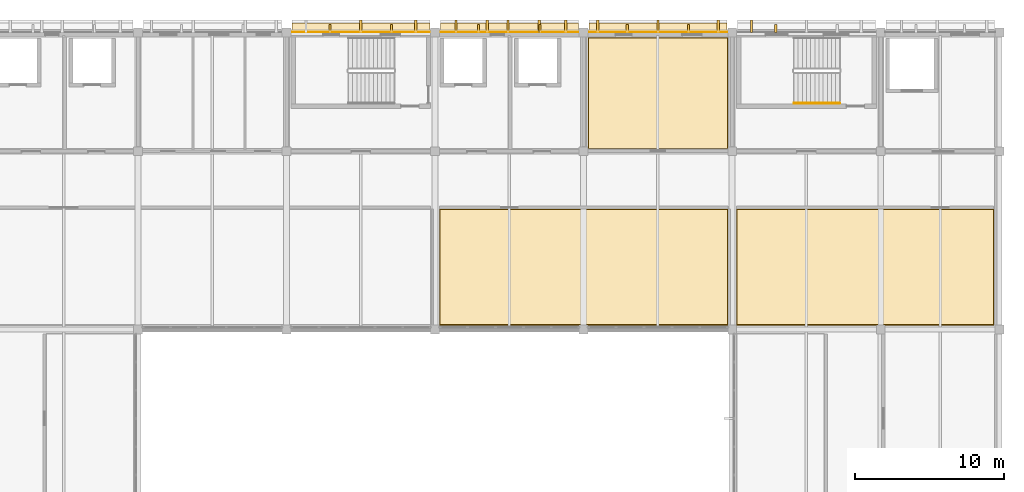
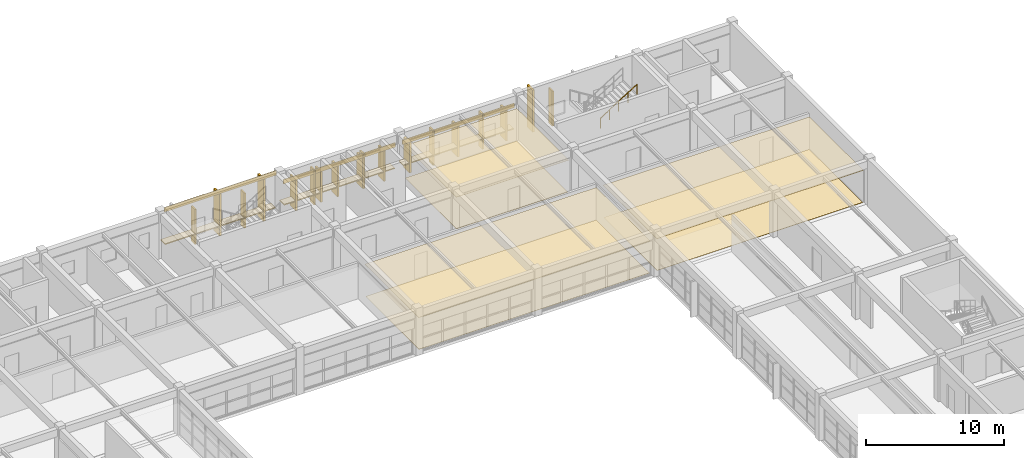
# One storey, part 27 of 28: 23 coverings, 7 shading devices, 1 railing.
"""IFC4 building model written with IfcOpenShell, lengths in metres."""

import ifcopenshell
import ifcopenshell.guid

model = None  # the IFC model being written
_history = None  # IfcOwnerHistory: only IFC2X3 demands one
_inside = {}  # id of a spatial element -> (the spatial element, [elements in it])
_under = {}  # id of a project, library or spatial element -> (it, [spatial elements below it])
_declared = {}  # id of a project -> (the project, [libraries it declares])
_typed = {}  # id of a type object -> (the type object, [elements of that type])
_made_of = {}  # id of a material, layer set ... -> (it, [elements and type objects made of it])


def new_model(schema):
    """Start an empty IFC model of exactly this schema.

    Asked for "IFC4X3", IfcOpenShell would pick the latest addendum, in which some entities
    have other attributes; the version numbers below select the first issue.
    IFC2X3 requires an IfcOwnerHistory on every rooted entity: one is made here for all.
    """
    global model, _history
    if schema == "IFC4X3":
        model = ifcopenshell.file(schema_version=(4, 3, 0, 0))
    else:
        model = ifcopenshell.file(schema=schema)
    _inside.clear()
    _under.clear()
    _declared.clear()
    _typed.clear()
    _made_of.clear()
    _history = None
    if model.schema == "IFC2X3":
        org = make("IfcOrganization", Name="unknown")
        user = make(
            "IfcPersonAndOrganization",
            ThePerson=make("IfcPerson", FamilyName="unknown"),
            TheOrganization=org,
        )
        app = make(
            "IfcApplication",
            ApplicationDeveloper=org,
            Version="unknown",
            ApplicationFullName="unknown",
            ApplicationIdentifier="unknown",
        )
        _history = make(
            "IfcOwnerHistory",
            OwningUser=user,
            OwningApplication=app,
            ChangeAction="ADDED",
            CreationDate=0,
        )
    return model


def make(cls, **values):
    """One entity of the class cls with the attributes given. An attribute that is None is left unset."""
    return model.create_entity(
        cls, **{name: value for name, value in values.items() if value is not None}
    )


def rooted(cls, **values):
    """An entity with a GlobalId (a new one), such as an element, a storey or a relation."""
    return make(cls, GlobalId=ifcopenshell.guid.new(), OwnerHistory=_history, **values)


def si_unit(unit_type, name, prefix=None):
    """IfcSIUnit, for example si_unit("LENGTHUNIT", "METRE", prefix="MILLI")."""
    return make("IfcSIUnit", UnitType=unit_type, Prefix=prefix, Name=name)


def assignment(units):
    """IfcUnitAssignment: the units of a project."""
    return None if units is None else make("IfcUnitAssignment", Units=units)


def point(xyz):
    """IfcCartesianPoint."""
    return None if xyz is None else make("IfcCartesianPoint", Coordinates=xyz)


def direction(xyz):
    """IfcDirection."""
    return None if xyz is None else make("IfcDirection", DirectionRatios=xyz)


def frame(location, z_axis=None, x_axis=None):
    """IfcAxis2Placement3D, a coordinate frame: its origin and axes. An axis left out is left unset."""
    return make(
        "IfcAxis2Placement3D",
        Location=point(location),
        Axis=direction(z_axis),
        RefDirection=direction(x_axis),
    )


def frame_2d(location, x_axis=None):
    """IfcAxis2Placement2D, a coordinate frame in the plane: its origin and x axis."""
    return make(
        "IfcAxis2Placement2D", Location=point(location), RefDirection=direction(x_axis)
    )


def origin():
    """The frame at (0, 0, 0) with its axes left unset."""
    return frame((0.0, 0.0, 0.0))


def origin_2d():
    """The frame at (0, 0) in the plane with its x axis left unset."""
    return frame_2d((0.0, 0.0))


def place(relative_to, where):
    """IfcLocalPlacement: puts the frame where relative to a parent placement (None: the world)."""
    return make(
        "IfcLocalPlacement", PlacementRelTo=relative_to, RelativePlacement=where
    )


def context(
    kind, dimensions, precision=None, world=None, true_north=None, identifier=None
):
    """IfcGeometricRepresentationContext, for example the 3D "Model" context."""
    return make(
        "IfcGeometricRepresentationContext",
        ContextIdentifier=identifier,
        ContextType=kind,
        CoordinateSpaceDimension=dimensions,
        Precision=precision,
        WorldCoordinateSystem=world,
        TrueNorth=true_north,
    )


def subcontext(parent, identifier, kind, view, scale=None):
    """IfcGeometricRepresentationSubContext, for example "Body" below "Model"."""
    return make(
        "IfcGeometricRepresentationSubContext",
        ContextIdentifier=identifier,
        ContextType=kind,
        ParentContext=parent,
        TargetScale=scale,
        TargetView=view,
    )


def project(units=None, contexts=None):
    """IfcProject with its units and contexts."""
    return rooted(
        "IfcProject",
        Name="project",
        RepresentationContexts=contexts,
        UnitsInContext=assignment(units),
    )


def spatial(cls, under=None, at=None, **own):
    """A site, building, storey or space (cls), placed at a placement, below another one or the project."""
    s = rooted(cls, ObjectPlacement=at, **own)
    if under is not None:
        _under.setdefault(under.id(), (under, []))[1].append(s)
    return s


def polyline(points):
    """IfcPolyline through the points."""
    return make("IfcPolyline", Points=[point(p) for p in points])


def profile(cls, at=None, kind="AREA", **sizes):
    """A parametric profile (cls). Its sizes go by their IFC names, for example OverallWidth=200.0."""
    return make(cls, ProfileType=kind, Position=at, **sizes)


def rectangle(**sizes):
    """IfcRectangleProfileDef."""
    return profile("IfcRectangleProfileDef", **sizes)


def circle(**sizes):
    """IfcCircleProfileDef."""
    return profile("IfcCircleProfileDef", **sizes)


def outline(outer, holes=None, kind="AREA"):
    """IfcArbitraryClosedProfileDef: a profile drawn as a closed curve; with holes, ...WithVoids."""
    if holes is None:
        return make("IfcArbitraryClosedProfileDef", ProfileType=kind, OuterCurve=outer)
    return make(
        "IfcArbitraryProfileDefWithVoids",
        ProfileType=kind,
        OuterCurve=outer,
        InnerCurves=holes,
    )


def extrude(swept, where, along, depth):
    """IfcExtrudedAreaSolid: the profile swept, set in the frame where, extruded along a direction by depth."""
    return make(
        "IfcExtrudedAreaSolid",
        SweptArea=swept,
        Position=where,
        ExtrudedDirection=direction(along),
        Depth=depth,
    )


def shape(context_of_items, identifier, shape_type, items):
    """IfcShapeRepresentation: the items that make up one representation, for example the "Body"."""
    return make(
        "IfcShapeRepresentation",
        ContextOfItems=context_of_items,
        RepresentationIdentifier=identifier,
        RepresentationType=shape_type,
        Items=items,
    )


def material(Name=None, Category=None):
    """IfcMaterial."""
    return make("IfcMaterial", Name=Name, Category=Category)


def layer(
    of_material, thickness, ventilated=None, Name=None, Category=None, Priority=None
):
    """IfcMaterialLayer: one layer of a wall or slab, of a material (None: an air gap)."""
    return make(
        "IfcMaterialLayer",
        Material=of_material,
        LayerThickness=thickness,
        IsVentilated=ventilated,
        Name=Name,
        Category=Category,
        Priority=Priority,
    )


def layer_set(layers, Name=None):
    """IfcMaterialLayerSet."""
    return make("IfcMaterialLayerSet", MaterialLayers=layers, LayerSetName=Name)


def made_of(thing, what):
    """Note that an element or type object is made of a material, layer set ...; save() writes the relation."""
    if what is not None:
        _made_of.setdefault(what.id(), (what, []))[1].append(thing)
    return thing


def type_object(cls, material=None, **own):
    """A type object (cls), such as IfcWallType, which elements share."""
    return made_of(rooted(cls, **own), material)


def element(
    cls,
    number,
    at=None,
    inside=None,
    cuts=None,
    type_object=None,
    material=None,
    context=None,
    identifier="Body",
    shape_type=None,
    held_by="IfcProductDefinitionShape",
    body=None,
    shapes=None,
    **own,
):
    """One element of the class cls, such as IfcWall. Its Tag is "e" and its number.

    at: its placement. inside: the storey or other place that contains it. cuts: it is an
    opening in that element (IfcRelVoidsElement). A single representation is given by context,
    identifier, shape_type and body (its items); several are given by shapes. held_by: the class
    of the entity that holds the representations. save() writes the other relations.
    """
    e = rooted(cls, Tag="e%d" % number, ObjectPlacement=at, **own)
    if body is not None:
        shapes = [shape(context, identifier, shape_type, body)]
    if shapes is not None:
        e.Representation = make(held_by, Representations=shapes)
    if inside is not None:
        _inside.setdefault(inside.id(), (inside, []))[1].append(e)
    if cuts is not None:
        rooted(
            "IfcRelVoidsElement", RelatingBuildingElement=cuts, RelatedOpeningElement=e
        )
    if type_object is not None:
        _typed.setdefault(type_object.id(), (type_object, []))[1].append(e)
    return made_of(e, material)


def aggregate(whole, parts):
    """IfcRelAggregates: a whole, such as a stair, and the parts it consists of."""
    return rooted("IfcRelAggregates", RelatingObject=whole, RelatedObjects=parts)


def save(model, path):
    """Write the relations noted so far, then the file.

    IfcRelAggregates (storeys below a building ...), IfcRelContainedInSpatialStructure (elements
    in a storey), IfcRelDefinesByType, IfcRelAssociatesMaterial and IfcRelDeclares: one each for
    every whole, place, type object, material and project.
    """
    for whole, parts in _under.values():
        aggregate(whole, parts)
    for where, things in _inside.values():
        rooted(
            "IfcRelContainedInSpatialStructure",
            RelatedElements=things,
            RelatingStructure=where,
        )
    for kind, things in _typed.values():
        rooted("IfcRelDefinesByType", RelatedObjects=things, RelatingType=kind)
    for what, things in _made_of.values():
        rooted("IfcRelAssociatesMaterial", RelatedObjects=things, RelatingMaterial=what)
    for by, libraries in _declared.values():
        rooted("IfcRelDeclares", RelatingContext=by, RelatedDefinitions=libraries)
    model.write(path)


model = new_model("IFC4")

# Units and contexts
model_context = context("Model", 3, precision=1e-05, world=origin(), true_north=direction((0.0, 1.0)))
body_context = subcontext(model_context, "Body", "Model", "MODEL_VIEW")
ifc_project = project(units=[si_unit("LENGTHUNIT", "METRE"), si_unit("AREAUNIT", "SQUARE_METRE"), si_unit("VOLUMEUNIT", "CUBIC_METRE"), si_unit("PLANEANGLEUNIT", "RADIAN"), si_unit("MASSUNIT", "GRAM", prefix="KILO")], contexts=[model_context])

# Site, building, storey
site_placement = place(None, origin())
site = spatial("IfcSite", under=ifc_project, at=site_placement, CompositionType="ELEMENT")
building_placement = place(site_placement, origin())
building = spatial("IfcBuilding", under=site, at=building_placement, Name="Kivolera Central Railway Station", CompositionType="ELEMENT")
storey_placement = place(building_placement, frame((0.0, 0.0, 18.60009765625)))
storey = spatial("IfcBuildingStorey", under=building, at=storey_placement, Name="L04", CompositionType="ELEMENT", Elevation=18.60009765625)

# Shading devices
ifc_material_1 = material(Name="Precast concrete C40/50", Category="concrete")
shading_device_type = type_object("IfcShadingDeviceType", Name="BS-FIN-UPP", PredefinedType="USERDEFINED", material=ifc_material_1)
for number, where, z_axis, x_axis, name in (
    (1, (150.929931640625, 134.26708984375, -0.000244140625), (0.0, 0.0, 1.0), (1.0, 0.0, 0.0), "L04 North Brise-Soleil Fin 4.1"),
    (2, (155.070068359375, 134.26708984375, -0.000244140625), (0.0, 0.0, 1.0), (1.0, 0.0, 0.0), "L04 North Brise-Soleil Fin 4.2"),
    (3, (160.929931640625, 134.26708984375, -0.000244140625), (0.0, 0.0, 1.0), (1.0, 0.0, 0.0), "L04 North Brise-Soleil Fin 5.1"),
    (4, (165.070068359375, 134.26708984375, -0.000244140625), (0.0, 0.0, 1.0), (1.0, 0.0, 0.0), "L04 North Brise-Soleil Fin 5.2"),
    (5, (170.929931640625, 134.26708984375, -0.000244140625), (0.0, 0.0, 1.0), (1.0, 0.0, 0.0), "L04 North Brise-Soleil Fin 6.1"),
    (6, (175.070068359375, 134.26708984375, -0.000244140625), (0.0, 0.0, 1.0), (1.0, 0.0, 0.0), "L04 North Brise-Soleil Fin 6.2"),
    (7, (180.929931640625, 134.26708984375, -0.000244140625), (0.0, 0.0, 1.0), (1.0, 0.0, 0.0), "L04 North Brise-Soleil Fin 7.1"),
):
    element("IfcShadingDevice", number, at=place(storey_placement, frame(where, z_axis=z_axis, x_axis=x_axis)), inside=storey, type_object=shading_device_type, Name=name, ObjectType="FIN", PredefinedType="USERDEFINED", context=body_context, shape_type="SweptSolid", body=[
        extrude(rectangle(XDim=0.139892578125, YDim=0.550048828125, at=origin_2d()), origin(), (0.0, 0.0, 1.0), 3.10009765625),
    ])

# Coverings
ifc_material_2 = material(Name="Hardwood mvule timber", Category="wood")
ifc_layer_1 = layer(ifc_material_2, 0.02490234375, Name="Hardwood mvule timber")
ifc_layer_set_1 = layer_set([ifc_layer_1], Name="Hardwood mvule timber")
covering_type_1 = type_object("IfcCoveringType", Name="COV-CEIL-25", PredefinedType="CEILING", material=ifc_layer_set_1)
covering_1_placement = place(storey_placement, frame((0.0, 0.0, 2.849853515625)))
element("IfcCovering", 8, at=covering_1_placement, inside=storey, type_object=covering_type_1, Name="L04 Traction Power SCADA Control Office Acoustic Ceiling", PredefinedType="CEILING", context=body_context, shape_type="SweptSolid", body=[
    extrude(outline(polyline([(158.280029296875, 114.280029296875), (177.719970703125, 114.280029296875), (177.719970703125, 122.1201171875), (158.280029296875, 122.1201171875), (158.280029296875, 114.280029296875)])), origin(), (0.0, 0.0, 1.0), 0.025146484375),
])
ifc_material_3 = material(Name="Mineral fibre acoustic tile")
ifc_layer_2 = layer(ifc_material_3, 0.030029296875, Name="Mineral fibre acoustic tile")
ifc_layer_set_2 = layer_set([ifc_layer_2], Name="Mineral fibre acoustic tile")
covering_type_2 = type_object("IfcCoveringType", Name="COV-CEIL-30", PredefinedType="CEILING", material=ifc_layer_set_2)
covering_2_placement = place(storey_placement, frame((0.0, 0.0, 2.849853515625)))
element("IfcCovering", 9, at=covering_2_placement, inside=storey, type_object=covering_type_2, Name="L04 Emergency Incident Command Office Acoustic Ceiling", PredefinedType="CEILING", context=body_context, shape_type="SweptSolid", body=[
    extrude(outline(polyline([(168.280029296875, 126.1298828125), (177.719970703125, 126.1298828125), (177.719970703125, 133.669921875), (168.280029296875, 133.669921875), (168.280029296875, 126.1298828125)])), origin(), (0.0, 0.0, 1.0), 0.030029296875),
])
covering_3_placement = place(storey_placement, frame((0.0, 0.0, 2.849853515625)))
element("IfcCovering", 10, at=covering_3_placement, inside=storey, type_object=covering_type_2, Name="L04 Rolling Stock Fleet Dispatch Office Acoustic Ceiling", PredefinedType="CEILING", context=body_context, shape_type="SweptSolid", body=[
    extrude(outline(polyline([(178.280029296875, 114.280029296875), (195.6201171875, 114.280029296875), (195.6201171875, 122.1201171875), (178.280029296875, 122.1201171875), (178.280029296875, 114.280029296875)])), origin(), (0.0, 0.0, 1.0), 0.030029296875),
])
ifc_layer_3 = layer(ifc_material_1, 0.090087890625, Name="Precast concrete C40/50")
ifc_layer_set_3 = layer_set([ifc_layer_3], Name="Precast concrete C40/50")
covering_type_3 = type_object("IfcCoveringType", Name="COV-CLAUSTRA-90", PredefinedType="CLADDING", material=ifc_layer_set_3)
for number, where, z_axis, x_axis, name in (
    (11, (153.0, 134.31298828125, 0.85498046875), (0.0, 0.0, 1.0), (1.0, 0.0, 0.0), "L04 North Precast Egg-Crate Sill Shelf 4"),
    (12, (163.0, 134.31298828125, 0.85498046875), (0.0, 0.0, 1.0), (1.0, 0.0, 0.0), "L04 North Precast Egg-Crate Sill Shelf 5"),
    (13, (173.0, 134.31298828125, 0.85498046875), (0.0, 0.0, 1.0), (1.0, 0.0, 0.0), "L04 North Precast Egg-Crate Sill Shelf 6"),
):
    element("IfcCovering", number, at=place(storey_placement, frame(where, z_axis=z_axis, x_axis=x_axis)), inside=storey, type_object=covering_type_3, Name=name, PredefinedType="CLADDING", context=body_context, shape_type="SweptSolid", body=[
        extrude(rectangle(XDim=9.2900390625, YDim=0.64990234375, at=origin_2d()), origin(), (0.0, 0.0, 1.0), 0.090087890625),
    ])
ifc_material_4 = material(Name="Swahili coral limestone", Category="masonry")
ifc_layer_4 = layer(ifc_material_4, 0.159912109375, Name="Swahili coral limestone")
ifc_layer_set_4 = layer_set([ifc_layer_4], Name="Swahili coral limestone")
covering_type_4 = type_object("IfcCoveringType", Name="COV-EGGFIN-160", PredefinedType="CLADDING", material=ifc_layer_set_4)
for number, where, z_axis, x_axis, name in (
    (14, (153.0, 134.4130859375, 0.0400390625), (0.0, 0.0, 1.0), (1.0, 0.0, 0.0), "L04 North Afro-Modernist Coral-Stone Sun-Fin 4.2"),
    (15, (156.699951171875, 134.4130859375, 0.0400390625), (0.0, 0.0, 1.0), (1.0, 0.0, 0.0), "L04 North Afro-Modernist Coral-Stone Sun-Fin 4.3"),
):
    element("IfcCovering", number, at=place(storey_placement, frame(where, z_axis=z_axis, x_axis=x_axis)), inside=storey, type_object=covering_type_4, Name=name, PredefinedType="CLADDING", context=body_context, shape_type="SweptSolid", body=[
        extrude(rectangle(XDim=0.159912109375, YDim=0.85009765625, at=origin_2d()), origin(), (0.0, 0.0, 1.0), 3.719970703125),
    ])
for number, where, z_axis, x_axis, name in (
    (16, (159.39990234375, 134.4130859375, 0.039794921875), (0.0, 0.0, 1.0), (1.0, 0.0, 0.0), "L04 North Afro-Modernist Coral-Stone Sun-Fin 5.1"),
    (17, (161.5, 134.4130859375, 0.039794921875), (0.0, 0.0, 1.0), (1.0, 0.0, 0.0), "L04 North Afro-Modernist Coral-Stone Sun-Fin 5.2"),
    (18, (162.89990234375, 134.4130859375, 0.039794921875), (0.0, 0.0, 1.0), (1.0, 0.0, 0.0), "L04 North Afro-Modernist Coral-Stone Sun-Fin 5.3"),
    (19, (165.0, 134.4130859375, 0.039794921875), (0.0, 0.0, 1.0), (1.0, 0.0, 0.0), "L04 North Afro-Modernist Coral-Stone Sun-Fin 5.4"),
    (20, (166.800048828125, 134.4130859375, 0.039794921875), (0.0, 0.0, 1.0), (1.0, 0.0, 0.0), "L04 North Afro-Modernist Coral-Stone Sun-Fin 5.5"),
    (21, (168.949951171875, 134.4130859375, 0.039794921875), (0.0, 0.0, 1.0), (1.0, 0.0, 0.0), "L04 North Afro-Modernist Coral-Stone Sun-Fin 6.1"),
    (22, (173.0, 134.4130859375, 0.039794921875), (0.0, 0.0, 1.0), (1.0, 0.0, 0.0), "L04 North Afro-Modernist Coral-Stone Sun-Fin 6.2"),
    (23, (177.050048828125, 134.4130859375, 0.039794921875), (0.0, 0.0, 1.0), (1.0, 0.0, 0.0), "L04 North Afro-Modernist Coral-Stone Sun-Fin 6.3"),
):
    element("IfcCovering", number, at=place(storey_placement, frame(where, z_axis=z_axis, x_axis=x_axis)), inside=storey, type_object=covering_type_4, Name=name, PredefinedType="CLADDING", context=body_context, shape_type="SweptSolid", body=[
        extrude(rectangle(XDim=0.159912109375, YDim=0.85009765625, at=origin_2d()), origin(), (0.0, 0.0, 1.0), 2.7080078125),
    ])
covering_4_placement = place(storey_placement, frame((179.300048828125, 134.4130859375, 0.0400390625), z_axis=(0.0, 0.0, 1.0), x_axis=(1.0, 0.0, 0.0)))
element("IfcCovering", 24, at=covering_4_placement, inside=storey, type_object=covering_type_4, Name="L04 North Afro-Modernist Coral-Stone Sun-Fin 7.1", PredefinedType="CLADDING", context=body_context, shape_type="SweptSolid", body=[
    extrude(rectangle(XDim=0.159912109375, YDim=0.85009765625, at=origin_2d()), origin(), (0.0, 0.0, 1.0), 3.719970703125),
])
ifc_material_5 = material(Name="Terracotta clay tile", Category="masonry")
ifc_layer_5 = layer(ifc_material_5, 0.02197265625, Name="Terracotta clay tile")
ifc_layer_set_5 = layer_set([ifc_layer_5], Name="Terracotta clay tile")
covering_type_5 = type_object("IfcCoveringType", Name="COV-FLR-22", PredefinedType="FLOORING", material=ifc_layer_set_5)
covering_5_placement = place(storey_placement, origin())
element("IfcCovering", 25, at=covering_5_placement, inside=storey, type_object=covering_type_5, Name="L04 Emergency Incident Command Office Floor Finish", PredefinedType="FLOORING", context=body_context, shape_type="SweptSolid", body=[
    extrude(outline(polyline([(168.320068359375, 126.169921875), (177.679931640625, 126.169921875), (177.679931640625, 133.6298828125), (168.320068359375, 133.6298828125), (168.320068359375, 126.169921875)])), origin(), (0.0, 0.0, 1.0), 0.02197265625),
])
covering_6_placement = place(storey_placement, origin())
element("IfcCovering", 26, at=covering_6_placement, inside=storey, type_object=covering_type_5, Name="L04 Traction Power SCADA Control Office Floor Finish", PredefinedType="FLOORING", context=body_context, shape_type="SweptSolid", body=[
    extrude(outline(polyline([(158.320068359375, 114.320068359375), (177.679931640625, 114.320068359375), (177.679931640625, 122.080078125), (158.320068359375, 122.080078125), (158.320068359375, 114.320068359375)])), origin(), (0.0, 0.0, 1.0), 0.02197265625),
])
covering_7_placement = place(storey_placement, origin())
element("IfcCovering", 27, at=covering_7_placement, inside=storey, type_object=covering_type_5, Name="L04 Rolling Stock Fleet Dispatch Office Floor Finish", PredefinedType="FLOORING", context=body_context, shape_type="SweptSolid", body=[
    extrude(outline(polyline([(178.320068359375, 114.320068359375), (195.580078125, 114.320068359375), (195.580078125, 122.080078125), (178.320068359375, 122.080078125), (178.320068359375, 114.320068359375)])), origin(), (0.0, 0.0, 1.0), 0.02197265625),
])
ifc_layer_6 = layer(ifc_material_5, 0.044921875, Name="Terracotta clay tile")
ifc_layer_set_6 = layer_set([ifc_layer_6], Name="Terracotta clay tile")
covering_type_6 = type_object("IfcCoveringType", Name="COV-TERRACOTTA-45", PredefinedType="CLADDING", material=ifc_layer_set_6)
covering_8_placement = place(storey_placement, frame((148.294921875, 134.02001953125, 3.77001953125), z_axis=(0.0, 0.0, 1.0), x_axis=(1.0, 0.0, 0.0)))
element("IfcCovering", 28, at=covering_8_placement, inside=storey, type_object=covering_type_6, Name="L04 North Terracotta Spandrel 4", PredefinedType="CLADDING", context=body_context, shape_type="SweptSolid", body=[
    extrude(rectangle(XDim=9.41015625, YDim=0.044921875, at=frame_2d((4.705078125, 0.0))), origin(), (0.0, 0.0, 1.0), 0.39990234375),
])
for number, where, z_axis, x_axis, name in (
    (29, (158.294921875, 134.02001953125, 2.7578125), (0.0, 0.0, 1.0), (1.0, 0.0, 0.0), "L04 North Terracotta Spandrel 5"),
    (30, (168.294921875, 134.02001953125, 2.7578125), (0.0, 0.0, 1.0), (1.0, 0.0, 0.0), "L04 North Terracotta Spandrel 6"),
):
    element("IfcCovering", number, at=place(storey_placement, frame(where, z_axis=z_axis, x_axis=x_axis)), inside=storey, type_object=covering_type_6, Name=name, PredefinedType="CLADDING", context=body_context, shape_type="SweptSolid", body=[
        extrude(rectangle(XDim=9.41015625, YDim=0.044921875, at=frame_2d((4.705078125, 0.0))), origin(), (0.0, 0.0, 1.0), 0.400146484375),
    ])

# Railing
ifc_material_6 = material(Name="Anodised aluminium", Category="aluminium")
ifc_layer_7 = layer(ifc_material_6, 0.048095703125, Name="Anodised aluminium")
ifc_layer_set_7 = layer_set([ifc_layer_7], Name="Anodised aluminium")
railing_type = type_object("IfcRailingType", Name="RL-STAIR-HAND", PredefinedType="HANDRAIL", material=ifc_layer_set_7)
railing_placement = place(storey_placement, frame((182.159912109375, 129.22998046875, 2.27490234375)))
element("IfcRailing", 31, at=railing_placement, inside=storey, type_object=railing_type, Name="L04 ST3 stair handrail 2", PredefinedType="HANDRAIL", context=body_context, shape_type="SweptSolid", body=[
    extrude(circle(Radius=0.02392578125, at=origin_2d()), frame((0.0, 0.0, 0.8759765625), z_axis=(0.847998304005, 0.0, 0.529998940003), x_axis=(0.0, 1.0, 0.0)), (0.0, 0.0, 1.0), 3.632080078125),
    extrude(circle(Radius=0.02099609375, at=origin_2d()), origin(), (0.0, 0.0, 1.0), 0.851806640625),
    extrude(circle(Radius=0.02099609375, at=origin_2d()), frame((0.77001953125, 0.0, 0.481201171875)), (0.0, 0.0, 1.0), 0.851806640625),
    extrude(circle(Radius=0.02099609375, at=origin_2d()), frame((1.5400390625, 0.0, 0.96240234375)), (0.0, 0.0, 1.0), 0.851806640625),
    extrude(circle(Radius=0.02099609375, at=origin_2d()), frame((2.31005859375, 0.0, 1.44384765625)), (0.0, 0.0, 1.0), 0.851806640625),
    extrude(circle(Radius=0.02099609375, at=origin_2d()), frame((3.080078125, 0.0, 1.925048828125)), (0.0, 0.0, 1.0), 0.851806640625),
])

save(model, "model.ifc")
